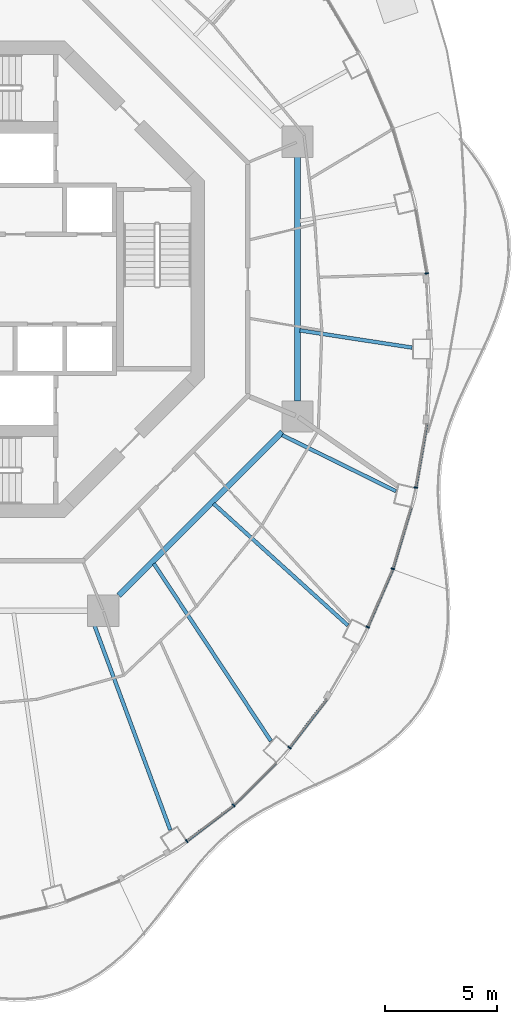
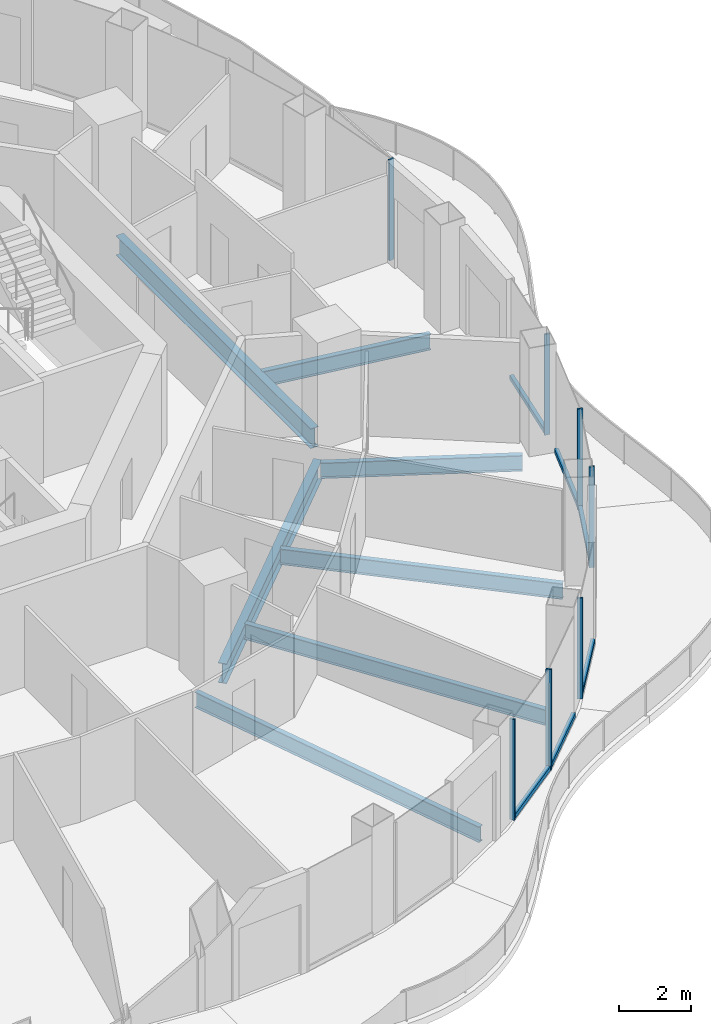
# One storey, part 4 of 17: 13 members, 7 beams, 7 elements without a shape of their own.
"""IFC4 building model written with IfcOpenShell, lengths in metres."""

from ifc_helpers import new_model, si_unit, direction, frame, origin, origin_2d, place, context, subcontext, project, spatial, rectangle, i_section, extrude, material, layer, layer_set, material_profile, profile_set, type_object, element, aggregate, save


model = new_model("IFC4")

# Units and contexts
model_context = context("Model", 3, precision=1e-05, world=origin(), true_north=direction((0.0, 1.0)))
body_context = subcontext(model_context, "Body", "Model", "MODEL_VIEW")
ifc_project = project(units=[si_unit("LENGTHUNIT", "METRE"), si_unit("AREAUNIT", "SQUARE_METRE"), si_unit("VOLUMEUNIT", "CUBIC_METRE"), si_unit("PLANEANGLEUNIT", "RADIAN"), si_unit("MASSUNIT", "GRAM", prefix="KILO")], contexts=[model_context])

# Site, building, storey
site_placement = place(None, origin())
site = spatial("IfcSite", under=ifc_project, at=site_placement, CompositionType="ELEMENT")
building_placement = place(site_placement, origin())
building = spatial("IfcBuilding", under=site, at=building_placement, Name="Nagisa Residences", CompositionType="ELEMENT")
storey_placement = place(building_placement, frame((0.0, 0.0, 258.5)))
storey = spatial("IfcBuildingStorey", under=building, at=storey_placement, Name="L65", CompositionType="ELEMENT", Elevation=258.5)

# Curtain wall, member
ifc_material_1 = material(Name="Concrete-coloured aluminium curtain wall system", Category="concrete")
ifc_layer = layer(ifc_material_1, 0.159912109375)
ifc_layer_set = layer_set([ifc_layer], Name="CW1 CURTAIN WALL")
curtain_wall_type = type_object("IfcCurtainWallType", Name="CW1 CURTAIN WALL", PredefinedType="NOTDEFINED", material=ifc_layer_set)
curtain_wall_1_placement = place(storey_placement, origin())
curtain_wall_1 = element("IfcCurtainWall", 1, at=curtain_wall_1_placement, inside=storey, type_object=curtain_wall_type, Name="cw:CW1:L65:01", PredefinedType="NOTDEFINED")
ifc_material_2 = material(Name="Concrete-coloured aluminium", Category="concrete")
ifc_material_profile_1 = material_profile(ifc_material_2, rectangle(XDim=0.159912109375, YDim=0.06005859375, at=origin_2d()), Name="CW1 MULLION 160x60")
ifc_profile_set_1 = profile_set([ifc_material_profile_1], Name="Concrete-coloured aluminium")
member_type_1 = type_object("IfcMemberType", Name="CW1 MULLION 160x60", PredefinedType="MULLION", material=ifc_profile_set_1)
member_1_placement = place(storey_placement, frame((20.54248046875, 0.2578125, 0.0), z_axis=(0.0, 0.0, 1.0), x_axis=(-0.985063604377, -0.172190868898, 0.0)))
member_1 = element("IfcMember", 2, at=member_1_placement, type_object=member_type_1, Name="CW1 mullion", PredefinedType="MULLION", context=body_context, shape_type="SweptSolid", body=[
    extrude(rectangle(XDim=0.159912109375, YDim=0.06005859375, at=origin_2d()), origin(), (0.0, 0.0, 1.0), 3.43994140625),
])
aggregate(curtain_wall_1, [member_1])

curtain_wall_2_placement = place(storey_placement, origin())
curtain_wall_2 = element("IfcCurtainWall", 3, at=curtain_wall_2_placement, inside=storey, type_object=curtain_wall_type, Name="cw:CW1:L65:40", PredefinedType="NOTDEFINED")
member_2_placement = place(storey_placement, frame((9.84375, -25.054931640625, 0.0), z_axis=(0.0, 0.0, 1.0), x_axis=(-0.605255421737, 0.79603132756, 0.0)))
member_2 = element("IfcMember", 4, at=member_2_placement, type_object=member_type_1, Name="CW1 mullion", PredefinedType="MULLION", context=body_context, shape_type="SweptSolid", body=[
    extrude(rectangle(XDim=0.159912109375, YDim=0.06005859375, at=origin_2d()), origin(), (0.0, 0.0, 1.0), 3.43994140625),
])

curtain_wall_3_placement = place(storey_placement, origin())
curtain_wall_3 = element("IfcCurtainWall", 5, at=curtain_wall_3_placement, inside=storey, type_object=curtain_wall_type, Name="cw:CW1:L65:41", PredefinedType="NOTDEFINED")
member_3_placement = place(storey_placement, frame((11.934814453125, -23.460693359375, 0.0), z_axis=(0.0, 0.0, 1.0), x_axis=(-0.706376885714, 0.707835924016, 0.0)))
member_3 = element("IfcMember", 6, at=member_3_placement, type_object=member_type_1, Name="CW1 mullion", PredefinedType="MULLION", context=body_context, shape_type="SweptSolid", body=[
    extrude(rectangle(XDim=0.159912109375, YDim=0.06005859375, at=origin_2d()), origin(), (0.0, 0.0, 1.0), 3.43994140625),
])

curtain_wall_4_placement = place(storey_placement, origin())
curtain_wall_4 = element("IfcCurtainWall", 7, at=curtain_wall_4_placement, inside=storey, type_object=curtain_wall_type, Name="cw:CW1:L65:42", PredefinedType="NOTDEFINED")
member_4_placement = place(storey_placement, frame((14.42431640625, -20.8896484375, 0.0), z_axis=(0.0, 0.0, 1.0), x_axis=(-0.792070340816, 0.610429828235, 0.0)))
member_4 = element("IfcMember", 8, at=member_4_placement, type_object=member_type_1, Name="CW1 mullion", PredefinedType="MULLION", context=body_context, shape_type="SweptSolid", body=[
    extrude(rectangle(XDim=0.159912109375, YDim=0.06005859375, at=origin_2d()), origin(), (0.0, 0.0, 1.0), 3.43994140625),
])

curtain_wall_5_placement = place(storey_placement, origin())
curtain_wall_5 = element("IfcCurtainWall", 9, at=curtain_wall_5_placement, inside=storey, type_object=curtain_wall_type, Name="cw:CW1:L65:44", PredefinedType="NOTDEFINED")
member_5_placement = place(storey_placement, frame((17.906982421875, -15.515380859375, 0.0), z_axis=(0.0, 0.0, 1.0), x_axis=(-0.917543276295, 0.397635934147, 0.0)))
member_5 = element("IfcMember", 10, at=member_5_placement, type_object=member_type_1, Name="CW1 mullion", PredefinedType="MULLION", context=body_context, shape_type="SweptSolid", body=[
    extrude(rectangle(XDim=0.159912109375, YDim=0.06005859375, at=origin_2d()), origin(), (0.0, 0.0, 1.0), 3.43994140625),
])

curtain_wall_6_placement = place(storey_placement, origin())
curtain_wall_6 = element("IfcCurtainWall", 11, at=curtain_wall_6_placement, inside=storey, type_object=curtain_wall_type, Name="cw:CW1:L65:45", PredefinedType="NOTDEFINED")
member_6_placement = place(storey_placement, frame((19.030029296875, -12.916259765625, 0.0), z_axis=(0.0, 0.0, 1.0), x_axis=(-0.958271310082, 0.285860274038, 0.0)))
member_6 = element("IfcMember", 12, at=member_6_placement, type_object=member_type_1, Name="CW1 mullion", PredefinedType="MULLION", context=body_context, shape_type="SweptSolid", body=[
    extrude(rectangle(XDim=0.159912109375, YDim=0.06005859375, at=origin_2d()), origin(), (0.0, 0.0, 1.0), 3.43994140625),
])

curtain_wall_7_placement = place(storey_placement, origin())
curtain_wall_7 = element("IfcCurtainWall", 13, at=curtain_wall_7_placement, inside=storey, type_object=curtain_wall_type, Name="cw:CW1:L65:46", PredefinedType="NOTDEFINED")
member_7_placement = place(storey_placement, frame((20.052978515625, -9.29296875, 0.0), z_axis=(0.0, 0.0, 1.0), x_axis=(-0.985063604377, 0.172190868898, 0.0)))
member_7 = element("IfcMember", 14, at=member_7_placement, type_object=member_type_1, Name="CW1 mullion", PredefinedType="MULLION", context=body_context, shape_type="SweptSolid", body=[
    extrude(rectangle(XDim=0.159912109375, YDim=0.06005859375, at=origin_2d()), origin(), (0.0, 0.0, 1.0), 3.43994140625),
])

# Member
ifc_material_3 = material(Name="Concrete-coloured aluminium", Category="concrete")
ifc_material_profile_2 = material_profile(ifc_material_3, rectangle(XDim=0.1201171875, YDim=0.14990234375, at=origin_2d()), Name="CW1 TRANSOM 120x150")
ifc_profile_set_2 = profile_set([ifc_material_profile_2], Name="Concrete-coloured aluminium")
member_type_2 = type_object("IfcMemberType", Name="CW1 TRANSOM 120x150", PredefinedType="USERDEFINED", material=ifc_profile_set_2)
member_8_placement = place(storey_placement, frame((9.81982421875, -25.0732421875, 0.074951171875), z_axis=(0.796010739377, 0.605282498339, 0.0), x_axis=(-0.605282498339, 0.796010739377, 0.0)))
member_8 = element("IfcMember", 15, at=member_8_placement, type_object=member_type_2, Name="CW1 transom", ObjectType="TRANSOM", PredefinedType="USERDEFINED", context=body_context, shape_type="SweptSolid", body=[
    extrude(rectangle(XDim=0.1201171875, YDim=0.14990234375, at=origin_2d()), origin(), (0.0, 0.0, 1.0), 2.640625),
])

aggregate(curtain_wall_2, [member_2, member_8])

member_9_placement = place(storey_placement, frame((11.91357421875, -23.48193359375, 0.074951171875), z_axis=(0.707876975297, 0.706335747251, 0.0), x_axis=(-0.706335747251, 0.707876975297, 0.0)))
member_9 = element("IfcMember", 16, at=member_9_placement, type_object=member_type_2, Name="CW1 transom", ObjectType="TRANSOM", PredefinedType="USERDEFINED", context=body_context, shape_type="SweptSolid", body=[
    extrude(rectangle(XDim=0.1201171875, YDim=0.14990234375, at=origin_2d()), origin(), (0.0, 0.0, 1.0), 2.69287109375),
])

aggregate(curtain_wall_3, [member_3, member_9])

member_10_placement = place(storey_placement, frame((14.406005859375, -20.913330078125, 0.074951171875), z_axis=(0.610432336622, 0.792068407656, 0.0), x_axis=(-0.792068407656, 0.610432336622, 0.0)))
member_10 = element("IfcMember", 17, at=member_10_placement, type_object=member_type_2, Name="CW1 transom", ObjectType="TRANSOM", PredefinedType="USERDEFINED", context=body_context, shape_type="SweptSolid", body=[
    extrude(rectangle(XDim=0.1201171875, YDim=0.14990234375, at=origin_2d()), origin(), (0.0, 0.0, 1.0), 2.74609375),
])

aggregate(curtain_wall_4, [member_4, member_10])

member_11_placement = place(storey_placement, frame((17.89501953125, -15.54296875, 0.074951171875), z_axis=(0.397597791596, 0.9175598052, 0.0), x_axis=(-0.9175598052, 0.397597791596, 0.0)))
member_11 = element("IfcMember", 18, at=member_11_placement, type_object=member_type_2, Name="CW1 transom", ObjectType="TRANSOM", PredefinedType="USERDEFINED", context=body_context, shape_type="SweptSolid", body=[
    extrude(rectangle(XDim=0.1201171875, YDim=0.14990234375, at=origin_2d()), origin(), (0.0, 0.0, 1.0), 2.841064453125),
])

aggregate(curtain_wall_5, [member_5, member_11])

member_12_placement = place(storey_placement, frame((19.021484375, -12.945068359375, 0.074951171875), z_axis=(0.285876209024, 0.9582665564, 0.0), x_axis=(-0.9582665564, 0.285876209024, 0.0)))
member_12 = element("IfcMember", 19, at=member_12_placement, type_object=member_type_2, Name="CW1 transom", ObjectType="TRANSOM", PredefinedType="USERDEFINED", context=body_context, shape_type="SweptSolid", body=[
    extrude(rectangle(XDim=0.1201171875, YDim=0.14990234375, at=origin_2d()), origin(), (0.0, 0.0, 1.0), 2.877197265625),
])

aggregate(curtain_wall_6, [member_6, member_12])

member_13_placement = place(storey_placement, frame((20.0478515625, -9.32275390625, 0.074951171875), z_axis=(0.172182411767, 0.985065082661, 0.0), x_axis=(-0.985065082661, 0.172182411767, 0.0)))
member_13 = element("IfcMember", 20, at=member_13_placement, type_object=member_type_2, Name="CW1 transom", ObjectType="TRANSOM", PredefinedType="USERDEFINED", context=body_context, shape_type="SweptSolid", body=[
    extrude(rectangle(XDim=0.1201171875, YDim=0.14990234375, at=origin_2d()), origin(), (0.0, 0.0, 1.0), 2.902587890625),
])

aggregate(curtain_wall_7, [member_7, member_13])

# Beams
ifc_material_4 = material(Name="Steel ASTM A572 Gr 50", Category="steel")
ifc_material_profile_3 = material_profile(ifc_material_4, i_section(OverallWidth=0.2529296875, OverallDepth=0.677978515625, WebThickness=0.01171875, FlangeThickness=0.016357421875, at=origin_2d()), Name="W690x125")
ifc_profile_set_3 = profile_set([ifc_material_profile_3], Name="Steel ASTM A572 Gr 50")
beam_type_1 = type_object("IfcBeamType", Name="Inner ring beam W690x125", PredefinedType="BEAM", material=ifc_profile_set_3)
beam_1_placement = place(storey_placement, frame((6.808837890625, -14.09619140625, -0.59912109375), z_axis=(0.707106781187, 0.707106781187, 0.0), x_axis=(-0.707106781187, 0.707106781187, 0.0)))
element("IfcBeam", 21, at=beam_1_placement, inside=storey, type_object=beam_type_1, Name="beam:L65:ib7", PredefinedType="BEAM", context=body_context, shape_type="SweptSolid", body=[
    extrude(i_section(OverallWidth=0.2529296875, OverallDepth=0.677978515625, WebThickness=0.01171875, FlangeThickness=0.016357421875, at=origin_2d()), origin(), (0.0, 0.0, 1.0), 10.305908203125),
])
beam_2_placement = place(storey_placement, frame((14.781982421875, -5.44287109375, -0.59912109375), z_axis=(0.0, 1.0, 0.0), x_axis=(-1.0, 0.0, 0.0)))
element("IfcBeam", 22, at=beam_2_placement, inside=storey, type_object=beam_type_1, Name="beam:L65:ib8", PredefinedType="BEAM", context=body_context, shape_type="SweptSolid", body=[
    extrude(i_section(OverallWidth=0.2529296875, OverallDepth=0.677978515625, WebThickness=0.01171875, FlangeThickness=0.016357421875, at=origin_2d()), origin(), (0.0, 0.0, 1.0), 10.8857421875),
])
ifc_material_5 = material(Name="Steel ASTM A572 Gr 50", Category="steel")
ifc_material_profile_4 = material_profile(ifc_material_5, i_section(OverallWidth=0.166015625, OverallDepth=0.534912109375, WebThickness=0.01025390625, FlangeThickness=0.0166015625, at=origin_2d()), Name="W530x85")
ifc_profile_set_4 = profile_set([ifc_material_profile_4], Name="Steel ASTM A572 Gr 50")
beam_type_2 = type_object("IfcBeamType", Name="Radial beam W530x85", PredefinedType="BEAM", material=ifc_profile_set_4)
beam_3_placement = place(storey_placement, frame((19.8896484375, -3.0517578125, -0.527587890625), z_axis=(-0.988431314107, 0.151669170543, 0.0), x_axis=(-0.151669170543, -0.988431314107, 0.0)))
element("IfcBeam", 23, at=beam_3_placement, inside=storey, type_object=beam_type_2, Name="beam:L65:rb01", PredefinedType="BEAM", context=body_context, shape_type="SweptSolid", body=[
    extrude(i_section(OverallWidth=0.166015625, OverallDepth=0.534912109375, WebThickness=0.01025390625, FlangeThickness=0.0166015625, at=origin_2d()), origin(), (0.0, 0.0, 1.0), 5.059326171875),
])
beam_4_placement = place(storey_placement, frame((9.1064453125, -24.56201171875, -0.527587890625), z_axis=(-0.347627294781, 0.93763279802, 0.0), x_axis=(-0.93763279802, -0.347627294781, 0.0)))
element("IfcBeam", 24, at=beam_4_placement, inside=storey, type_object=beam_type_2, Name="beam:L65:rb21", PredefinedType="BEAM", context=body_context, shape_type="SweptSolid", body=[
    extrude(i_section(OverallWidth=0.166015625, OverallDepth=0.534912109375, WebThickness=0.01025390625, FlangeThickness=0.0166015625, at=origin_2d()), origin(), (0.0, 0.0, 1.0), 10.3154296875),
])
beam_5_placement = place(storey_placement, frame((13.59521484375, -20.592529296875, -0.527587890625), z_axis=(-0.550955602384, 0.834534555427, 0.0), x_axis=(-0.834534555427, -0.550955602384, 0.0)))
element("IfcBeam", 25, at=beam_5_placement, inside=storey, type_object=beam_type_2, Name="beam:L65:rb22", PredefinedType="BEAM", context=body_context, shape_type="SweptSolid", body=[
    extrude(i_section(OverallWidth=0.166015625, OverallDepth=0.534912109375, WebThickness=0.01025390625, FlangeThickness=0.0166015625, at=origin_2d()), origin(), (0.0, 0.0, 1.0), 9.47802734375),
])
beam_6_placement = place(storey_placement, frame((17.025634765625, -15.437744140625, -0.527587890625), z_axis=(-0.740814883915, 0.671709243475, 0.0), x_axis=(-0.671709243475, -0.740814883915, 0.0)))
element("IfcBeam", 26, at=beam_6_placement, inside=storey, type_object=beam_type_2, Name="beam:L65:rb23", PredefinedType="BEAM", context=body_context, shape_type="SweptSolid", body=[
    extrude(i_section(OverallWidth=0.166015625, OverallDepth=0.534912109375, WebThickness=0.01025390625, FlangeThickness=0.0166015625, at=origin_2d()), origin(), (0.0, 0.0, 1.0), 8.076171875),
])
beam_7_placement = place(storey_placement, frame((19.169921875, -9.454833984375, -0.527587890625), z_axis=(-0.896859131983, 0.442316286586, 0.0), x_axis=(-0.442316286586, -0.896859131983, 0.0)))
element("IfcBeam", 27, at=beam_7_placement, inside=storey, type_object=beam_type_2, Name="beam:L65:rb24", PredefinedType="BEAM", context=body_context, shape_type="SweptSolid", body=[
    extrude(i_section(OverallWidth=0.166015625, OverallDepth=0.534912109375, WebThickness=0.01025390625, FlangeThickness=0.0166015625, at=origin_2d()), origin(), (0.0, 0.0, 1.0), 5.65087890625),
])

save(model, "model.ifc")
